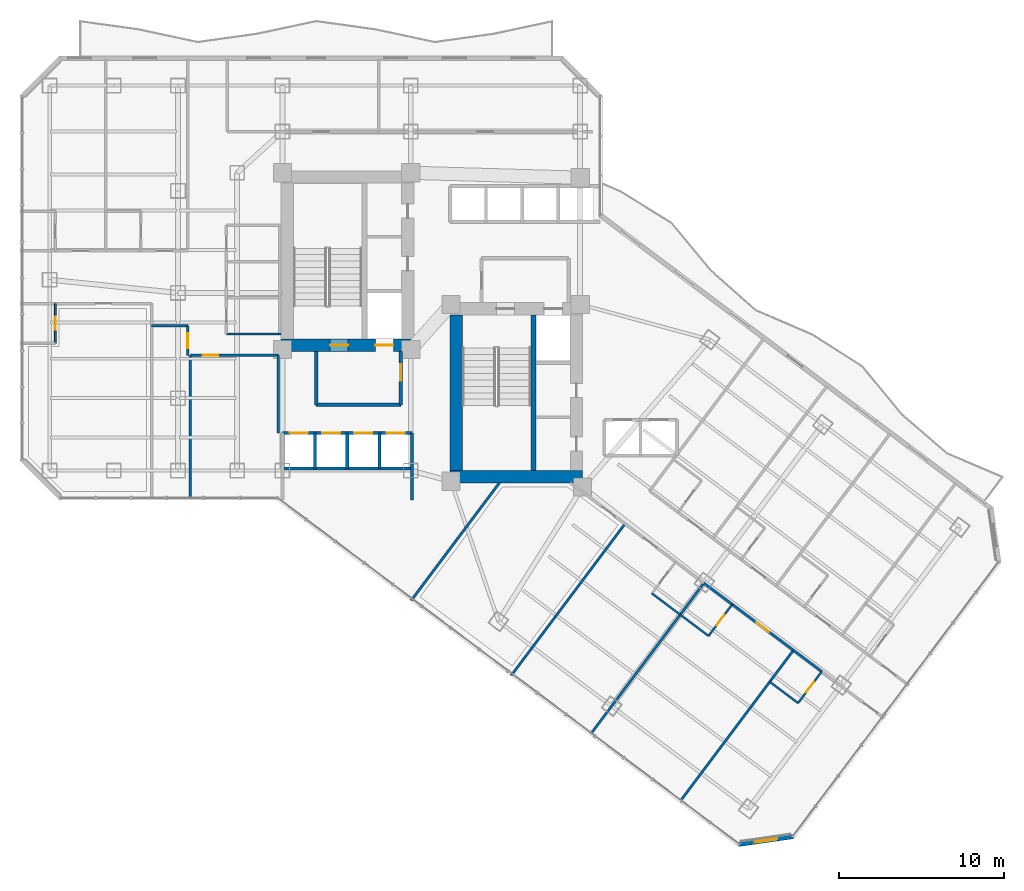
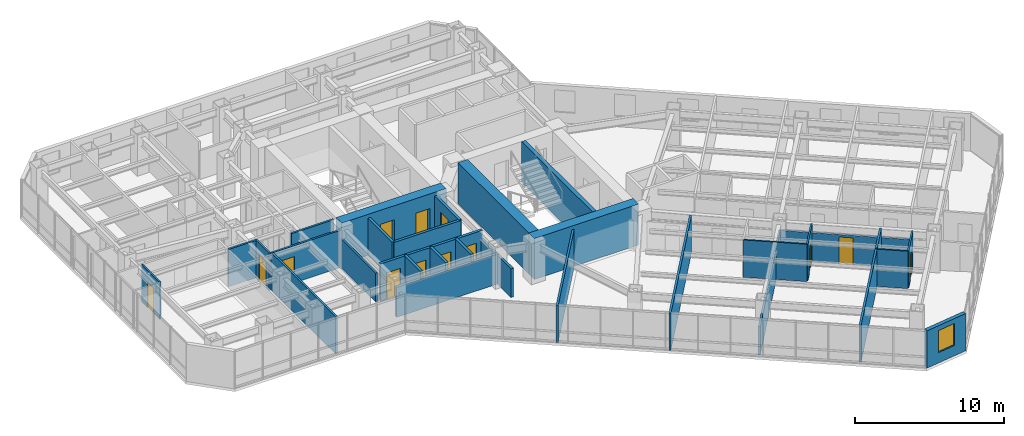
# One storey, part 28 of 36: 33 walls, 13 doors, 1 window, 14 openings.
"""IFC4 building model written with IfcOpenShell, lengths in metres."""

from ifc_helpers import new_model, si_unit, direction, frame, frame_2d, origin, place, context, subcontext, project, spatial, rectangle, extrude, material, layer, layer_set, type_object, element, fill, save


model = new_model("IFC4")

# Units and contexts
model_context = context("Model", 3, precision=1e-05, world=origin(), true_north=direction((0.0, 1.0)))
body_context = subcontext(model_context, "Body", "Model", "MODEL_VIEW")
ifc_project = project(units=[si_unit("LENGTHUNIT", "METRE"), si_unit("AREAUNIT", "SQUARE_METRE"), si_unit("VOLUMEUNIT", "CUBIC_METRE"), si_unit("PLANEANGLEUNIT", "RADIAN"), si_unit("MASSUNIT", "GRAM", prefix="KILO")], contexts=[model_context])

# Site, building, storey
site_placement = place(None, origin())
site = spatial("IfcSite", under=ifc_project, at=site_placement, CompositionType="ELEMENT")
building_placement = place(site_placement, origin())
building = spatial("IfcBuilding", under=site, at=building_placement, Name="Hatsunagi Terrace Concourse", CompositionType="ELEMENT")
storey_placement = place(building_placement, frame((0.0, 0.0, 88.0)))
storey = spatial("IfcBuildingStorey", under=building, at=storey_placement, Name="L23", CompositionType="ELEMENT", Elevation=88.0)

# Wall, openings, doors
ifc_material_1 = material(Name="Concrete Fc60", Category="concrete")
ifc_layer_1 = layer(ifc_material_1, 0.75)
ifc_layer_set_1 = layer_set([ifc_layer_1], Name="CoreShearWall_Fc60_750")
wall_type_1 = type_object("IfcWallType", Name="CoreShearWall_Fc60_750", PredefinedType="SHEAR", material=ifc_layer_set_1)
wall_1_placement = place(storey_placement, frame((25.469970703125, 32.81494140625, 0.0), z_axis=(0.0, 0.0, 1.0), x_axis=(1.0, 0.0, 0.0)))
wall_1 = element("IfcWall", 1, at=wall_1_placement, inside=storey, type_object=wall_type_1, Name="Core A Shear Wall S L23", PredefinedType="SHEAR", context=body_context, shape_type="SweptSolid", body=[
    extrude(rectangle(XDim=8.080078125, YDim=0.75, at=frame_2d((4.0400390625, 0.0))), origin(), (0.0, 0.0, 1.0), 3.35009765625),
])
opening_1_placement = place(wall_1_placement, frame((2.97998046875, 0.0, 0.0)))
opening_1 = element("IfcOpeningElement", 2, at=opening_1_placement, cuts=wall_1, Name="Opening DR-110S", PredefinedType="OPENING", context=body_context, shape_type="SweptSolid", body=[
    extrude(rectangle(XDim=1.10009765625, YDim=2.199951171875, at=frame_2d((0.550048828125, 1.10009765625))), frame((0.0, 0.385009765625, 0.0), z_axis=(0.0, -1.0, 0.0), x_axis=(1.0, 0.0, 0.0)), (0.0, 0.0, 1.0), 0.77001953125),
])
opening_2_placement = place(wall_1_placement, frame((5.72998046875, 0.0, 0.0)))
opening_2 = element("IfcOpeningElement", 3, at=opening_2_placement, cuts=wall_1, Name="Opening LD-01", PredefinedType="OPENING", context=body_context, shape_type="SweptSolid", body=[
    extrude(rectangle(XDim=1.10009765625, YDim=2.14990234375, at=frame_2d((0.550048828125, 1.074951171875))), frame((0.0, 0.385009765625, 0.0), z_axis=(0.0, -1.0, 0.0), x_axis=(1.0, 0.0, 0.0)), (0.0, 0.0, 1.0), 0.77001953125),
])
ifc_material_2 = material(Name="Stainless steel", Category="steel")
door_type_1 = type_object("IfcDoorType", Name="LiftLandingDoor_LD01", OperationType="SLIDING_TO_LEFT", PredefinedType="USERDEFINED", material=ifc_material_2)
door_1_placement = place(opening_2_placement, origin())
door_1 = element("IfcDoor", 4, at=door_1_placement, inside=storey, type_object=door_type_1, Name="Lift landing door FF-01 L23", ObjectType="SLIDING_LANDING_DOOR", OperationType="SLIDING_TO_LEFT", OverallHeight=2.14990234375, OverallWidth=1.10009765625, PredefinedType="USERDEFINED", context=body_context, shape_type="SweptSolid", body=[
    extrude(rectangle(XDim=1.10009765625, YDim=2.14990234375, at=frame_2d((0.550048828125, 1.074951171875))), frame((0.0, 0.02490234375, 0.0), z_axis=(0.0, -1.0, 0.0), x_axis=(1.0, 0.0, 0.0)), (0.0, 0.0, 1.0), 0.050048828125),
])
fill(opening_2, door_1)
ifc_material_3 = material(Name="Painted steel", Category="steel")
door_type_2 = type_object("IfcDoorType", Name="StairFireDoor_EI60_1100", OperationType="NOTDEFINED", PredefinedType="DOOR", material=ifc_material_3)
door_2_placement = place(opening_1_placement, origin())
door_2 = element("IfcDoor", 5, at=door_2_placement, inside=storey, type_object=door_type_2, Name="Stair ST-A Exit Door L23", OperationType="SINGLE_SWING_LEFT", OverallHeight=2.199951171875, OverallWidth=1.10009765625, PredefinedType="DOOR", context=body_context, shape_type="SweptSolid", body=[
    extrude(rectangle(XDim=1.10009765625, YDim=2.199951171875, at=frame_2d((0.550048828125, 1.10009765625))), frame((0.0, 0.02490234375, 0.0), z_axis=(0.0, -1.0, 0.0), x_axis=(1.0, 0.0, 0.0)), (0.0, 0.0, 1.0), 0.050048828125),
])
fill(opening_1, door_2)

# Walls
wall_2_placement = place(storey_placement, frame((35.739990234375, 24.81494140625, 0.0), z_axis=(0.0, 0.0, 1.0), x_axis=(1.0, 0.0, 0.0)))
element("IfcWall", 6, at=wall_2_placement, inside=storey, type_object=wall_type_1, Name="Core B Shear Wall S L23", PredefinedType="SHEAR", context=body_context, shape_type="SweptSolid", body=[
    extrude(rectangle(XDim=8.06005859375, YDim=0.75, at=frame_2d((4.030029296875, 0.0))), origin(), (0.0, 0.0, 1.0), 3.35009765625),
])
wall_3_placement = place(storey_placement, frame((36.114990234375, 25.18994140625, 0.0), z_axis=(0.0, 0.0, 1.0), x_axis=(0.0, 1.0, 0.0)))
element("IfcWall", 7, at=wall_3_placement, inside=storey, type_object=wall_type_1, Name="Core B Shear Wall W L23", PredefinedType="SHEAR", context=body_context, shape_type="SweptSolid", body=[
    extrude(rectangle(XDim=9.47998046875, YDim=0.75, at=frame_2d((4.739990234375, 0.0))), origin(), (0.0, 0.0, 1.0), 3.35009765625),
])
ifc_material_4 = material(Name="Concrete Fc48", Category="concrete")
ifc_layer_2 = layer(ifc_material_4, 0.300048828125)
ifc_layer_set_2 = layer_set([ifc_layer_2], Name="CoreStairDivider_Fc48_300")
wall_type_2 = type_object("IfcWallType", Name="CoreStairDivider_Fc48_300", PredefinedType="SHEAR", material=ifc_layer_set_2)
wall_4_placement = place(storey_placement, frame((40.81005859375, 25.18994140625, 0.0), z_axis=(0.0, 0.0, 1.0), x_axis=(0.0, 1.0, 0.0)))
element("IfcWall", 8, at=wall_4_placement, inside=storey, type_object=wall_type_2, Name="Core B Shear Wall D L23", PredefinedType="SHEAR", context=body_context, shape_type="SweptSolid", body=[
    extrude(rectangle(XDim=9.47998046875, YDim=0.300048828125, at=frame_2d((4.739990234375, 0.0))), origin(), (0.0, 0.0, 1.0), 3.35009765625),
])

# Wall, opening, door
ifc_material_5 = material(Name="Acoustic mineral board", Category="gypsum")
ifc_layer_3 = layer(ifc_material_5, 0.1201171875)
ifc_layer_set_3 = layer_set([ifc_layer_3], Name="PartitionWall_EI30_120")
wall_type_3 = type_object("IfcWallType", Name="PartitionWall_EI30_120", PredefinedType="PARTITIONING", material=ifc_layer_set_3)
wall_5_placement = place(storey_placement, frame((11.75, 32.949951171875, 0.0), z_axis=(0.0, 0.0, 1.0), x_axis=(0.0, 1.0, 0.0)))
wall_5 = element("IfcWall", 9, at=wall_5_placement, inside=storey, type_object=wall_type_3, Name="Interior Partition IW-L23-059", PredefinedType="PARTITIONING", context=body_context, shape_type="SweptSolid", body=[
    extrude(rectangle(XDim=2.400146484375, YDim=0.1201171875, at=frame_2d((1.2001953125, 0.0))), origin(), (0.0, 0.0, 1.0), 3.050048828125),
])
opening_3_placement = place(wall_5_placement, frame((0.800048828125, 0.0, 0.0)))
opening_3 = element("IfcOpeningElement", 10, at=opening_3_placement, cuts=wall_5, Name="Opening DR-080", PredefinedType="OPENING", context=body_context, shape_type="SweptSolid", body=[
    extrude(rectangle(XDim=0.800048828125, YDim=2.06005859375, at=frame_2d((0.39990234375, 1.030029296875))), frame((0.0, 0.070068359375, 0.0), z_axis=(0.0, -1.0, 0.0), x_axis=(1.0, 0.0, 0.0)), (0.0, 0.0, 1.0), 0.14013671875),
])
ifc_material_6 = material(Name="Hardwood timber", Category="wood")
door_type_3 = type_object("IfcDoorType", Name="BathroomDoor_800", OperationType="NOTDEFINED", PredefinedType="DOOR", material=ifc_material_6)
door_3_placement = place(opening_3_placement, origin())
door_3 = element("IfcDoor", 11, at=door_3_placement, inside=storey, type_object=door_type_3, Name="En-Suite Bathroom L23-S1 Door", OperationType="SINGLE_SWING_RIGHT", OverallHeight=2.06005859375, OverallWidth=0.800048828125, PredefinedType="DOOR", context=body_context, shape_type="SweptSolid", body=[
    extrude(rectangle(XDim=0.800048828125, YDim=2.06005859375, at=frame_2d((0.39990234375, 1.030029296875))), frame((0.0, 0.02490234375, 0.0), z_axis=(0.0, -1.0, 0.0), x_axis=(1.0, 0.0, 0.0)), (0.0, 0.0, 1.0), 0.050048828125),
])
fill(opening_3, door_3)

# Wall
wall_6_placement = place(storey_placement, frame((48.010009765625, 17.72998046875, 0.0), z_axis=(0.0, 0.0, 1.0), x_axis=(0.79998637334, -0.60001816845, 0.0)))
element("IfcWall", 12, at=wall_6_placement, inside=storey, type_object=wall_type_3, Name="Interior Partition IW-L23-087", PredefinedType="PARTITIONING", context=body_context, shape_type="SweptSolid", body=[
    extrude(rectangle(XDim=2.14990234375, YDim=0.1201171875, at=frame_2d((1.074951171875, 0.0))), origin(), (0.0, 0.0, 1.0), 3.050048828125),
])

# Wall, opening, door
wall_7_placement = place(storey_placement, frame((51.449951171875, 15.14990234375, 0.0), z_axis=(0.0, 0.0, 1.0), x_axis=(0.599951172744, 0.800036618114, 0.0)))
wall_7 = element("IfcWall", 13, at=wall_7_placement, inside=storey, type_object=wall_type_3, Name="Interior Partition IW-L23-091", PredefinedType="PARTITIONING", context=body_context, shape_type="SweptSolid", body=[
    extrude(rectangle(XDim=2.400146484375, YDim=0.1201171875, at=frame_2d((1.2001953125, 0.0))), origin(), (0.0, 0.0, 1.0), 3.050048828125),
])
opening_4_placement = place(wall_7_placement, frame((0.800048828125, 0.0, 0.0)))
opening_4 = element("IfcOpeningElement", 14, at=opening_4_placement, cuts=wall_7, Name="Opening DR-080", PredefinedType="OPENING", context=body_context, shape_type="SweptSolid", body=[
    extrude(rectangle(XDim=0.800048828125, YDim=2.06005859375, at=frame_2d((0.39990234375, 1.030029296875))), frame((0.0, 0.070068359375, 0.0), z_axis=(0.0, -1.0, 0.0), x_axis=(1.0, 0.0, 0.0)), (0.0, 0.0, 1.0), 0.14013671875),
])
door_4_placement = place(opening_4_placement, origin())
door_4 = element("IfcDoor", 15, at=door_4_placement, inside=storey, type_object=door_type_3, Name="En-Suite Bathroom L23-SESW2 Door", OperationType="SINGLE_SWING_RIGHT", OverallHeight=2.06005859375, OverallWidth=0.800048828125, PredefinedType="DOOR", context=body_context, shape_type="SweptSolid", body=[
    extrude(rectangle(XDim=0.800048828125, YDim=2.06005859375, at=frame_2d((0.39990234375, 1.030029296875))), frame((0.0, 0.02490234375, 0.0), z_axis=(0.0, -1.0, 0.0), x_axis=(1.0, 0.0, 0.0)), (0.0, 0.0, 1.0), 0.050048828125),
])
fill(opening_4, door_4)

# Wall
wall_8_placement = place(storey_placement, frame((49.72998046875, 16.43994140625, 0.0), z_axis=(0.0, 0.0, 1.0), x_axis=(0.79998637334, -0.60001816845, 0.0)))
element("IfcWall", 16, at=wall_8_placement, inside=storey, type_object=wall_type_3, Name="Interior Partition IW-L23-092", PredefinedType="PARTITIONING", context=body_context, shape_type="SweptSolid", body=[
    extrude(rectangle(XDim=2.14990234375, YDim=0.1201171875, at=frame_2d((1.074951171875, 0.0))), origin(), (0.0, 0.0, 1.0), 3.050048828125),
])

# Wall, opening, door
wall_9_placement = place(storey_placement, frame((56.889892578125, 11.070068359375, 0.0), z_axis=(0.0, 0.0, 1.0), x_axis=(0.600065100855, 0.79995117022, 0.0)))
wall_9 = element("IfcWall", 17, at=wall_9_placement, inside=storey, type_object=wall_type_3, Name="Interior Partition IW-L23-096", PredefinedType="PARTITIONING", context=body_context, shape_type="SweptSolid", body=[
    extrude(rectangle(XDim=2.400146484375, YDim=0.1201171875, at=frame_2d((1.2001953125, 0.0))), origin(), (0.0, 0.0, 1.0), 3.050048828125),
])
opening_5_placement = place(wall_9_placement, frame((0.800048828125, 0.0, 0.0)))
opening_5 = element("IfcOpeningElement", 18, at=opening_5_placement, cuts=wall_9, Name="Opening DR-080", PredefinedType="OPENING", context=body_context, shape_type="SweptSolid", body=[
    extrude(rectangle(XDim=0.800048828125, YDim=2.06005859375, at=frame_2d((0.39990234375, 1.030029296875))), frame((0.0, 0.070068359375, 0.0), z_axis=(0.0, -1.0, 0.0), x_axis=(1.0, 0.0, 0.0)), (0.0, 0.0, 1.0), 0.14013671875),
])
door_5_placement = place(opening_5_placement, origin())
door_5 = element("IfcDoor", 19, at=door_5_placement, inside=storey, type_object=door_type_3, Name="En-Suite Bathroom L23-SESW3 Door", OperationType="SINGLE_SWING_LEFT", OverallHeight=2.06005859375, OverallWidth=0.800048828125, PredefinedType="DOOR", context=body_context, shape_type="SweptSolid", body=[
    extrude(rectangle(XDim=0.800048828125, YDim=2.06005859375, at=frame_2d((0.39990234375, 1.030029296875))), frame((0.0, 0.02490234375, 0.0), z_axis=(0.0, -1.0, 0.0), x_axis=(1.0, 0.0, 0.0)), (0.0, 0.0, 1.0), 0.050048828125),
])
fill(opening_5, door_5)

# Walls
wall_10_placement = place(storey_placement, frame((55.169921875, 12.360107421875, 0.0), z_axis=(0.0, 0.0, 1.0), x_axis=(0.79998637334, -0.60001816845, 0.0)))
element("IfcWall", 20, at=wall_10_placement, inside=storey, type_object=wall_type_3, Name="Interior Partition IW-L23-097", PredefinedType="PARTITIONING", context=body_context, shape_type="SweptSolid", body=[
    extrude(rectangle(XDim=2.14990234375, YDim=0.1201171875, at=frame_2d((1.074951171875, 0.0))), origin(), (0.0, 0.0, 1.0), 3.050048828125),
])
ifc_material_7 = material(Name="Acoustic mineral board", Category="gypsum")
ifc_layer_4 = layer(ifc_material_7, 0.14990234375)
ifc_layer_set_4 = layer_set([ifc_layer_4], Name="PartitionWall_EI60_150")
wall_type_4 = type_object("IfcWallType", Name="PartitionWall_EI60_150", PredefinedType="PARTITIONING", material=ifc_layer_set_4)
wall_11_placement = place(storey_placement, frame((22.14990234375, 33.5, 0.0), z_axis=(0.0, 0.0, 1.0), x_axis=(1.0, 0.0, 0.0)))
element("IfcWall", 21, at=wall_11_placement, inside=storey, type_object=wall_type_4, Name="Interior Partition IW-L23-029", PredefinedType="PARTITIONING", context=body_context, shape_type="SweptSolid", body=[
    extrude(rectangle(XDim=3.300048828125, YDim=0.14990234375, at=frame_2d((1.64990234375, 0.0))), origin(), (0.0, 0.0, 1.0), 3.050048828125),
])
wall_12_placement = place(storey_placement, frame((33.384033203125, 17.31201171875, 0.0), z_axis=(0.0, 0.0, 1.0), x_axis=(0.600008743659, 0.799993442181, 0.0)))
element("IfcWall", 22, at=wall_12_placement, inside=storey, type_object=wall_type_4, Name="Interior Partition IW-L23-042", PredefinedType="PARTITIONING", context=body_context, shape_type="SweptSolid", body=[
    extrude(rectangle(XDim=8.93505859375, YDim=0.14990234375, at=frame_2d((4.467529296875, 0.0))), origin(), (0.0, 0.0, 1.0), 3.050048828125),
])
wall_13_placement = place(storey_placement, frame((39.464111328125, 12.751953125, 0.0), z_axis=(0.0, 0.0, 1.0), x_axis=(0.6, 0.8, 0.0)))
element("IfcWall", 23, at=wall_13_placement, inside=storey, type_object=wall_type_4, Name="Interior Partition IW-L23-043", PredefinedType="PARTITIONING", context=body_context, shape_type="SweptSolid", body=[
    extrude(rectangle(XDim=11.510009765625, YDim=0.14990234375, at=frame_2d((5.7548828125, 0.0))), origin(), (0.0, 0.0, 1.0), 3.050048828125),
])

# Wall, opening, door
wall_14_placement = place(storey_placement, frame((19.949951171875, 32.199951171875, 0.0), z_axis=(0.0, 0.0, 1.0), x_axis=(1.0, 0.0, 0.0)))
wall_14 = element("IfcWall", 24, at=wall_14_placement, inside=storey, type_object=wall_type_4, Name="Interior Partition IW-L23-044", PredefinedType="PARTITIONING", context=body_context, shape_type="SweptSolid", body=[
    extrude(rectangle(XDim=5.35009765625, YDim=0.14990234375, at=frame_2d((2.675048828125, 0.0))), origin(), (0.0, 0.0, 1.0), 3.050048828125),
])
opening_6_placement = place(wall_14_placement, frame((0.743896484375, 0.0, 0.0)))
opening_6 = element("IfcOpeningElement", 25, at=opening_6_placement, cuts=wall_14, Name="Opening DR-095", PredefinedType="OPENING", context=body_context, shape_type="SweptSolid", body=[
    extrude(rectangle(XDim=0.949951171875, YDim=2.14990234375, at=frame_2d((0.47509765625, 1.074951171875))), frame((0.0, 0.0849609375, 0.0), z_axis=(0.0, -1.0, 0.0), x_axis=(1.0, 0.0, 0.0)), (0.0, 0.0, 1.0), 0.169921875),
])
ifc_material_8 = material(Name="Hardwood timber", Category="wood")
door_type_4 = type_object("IfcDoorType", Name="InteriorSuiteDoor_EI30_950", OperationType="NOTDEFINED", PredefinedType="DOOR", material=ifc_material_8)
door_6_placement = place(opening_6_placement, origin())
door_6 = element("IfcDoor", 26, at=door_6_placement, inside=storey, type_object=door_type_4, Name="Hotel Wellness Spa L23-HSPA Door", OperationType="SINGLE_SWING_LEFT", OverallHeight=2.14990234375, OverallWidth=0.949951171875, PredefinedType="DOOR", context=body_context, shape_type="SweptSolid", body=[
    extrude(rectangle(XDim=0.949951171875, YDim=2.14990234375, at=frame_2d((0.47509765625, 1.074951171875))), frame((0.0, 0.02490234375, 0.0), z_axis=(0.0, -1.0, 0.0), x_axis=(1.0, 0.0, 0.0)), (0.0, 0.0, 1.0), 0.050048828125),
])
fill(opening_6, door_6)

# Walls
wall_15_placement = place(storey_placement, frame((19.949951171875, 23.60009765625, 0.0), z_axis=(0.0, 0.0, 1.0), x_axis=(0.0, 1.0, 0.0)))
element("IfcWall", 27, at=wall_15_placement, inside=storey, type_object=wall_type_4, Name="Interior Partition IW-L23-045", PredefinedType="PARTITIONING", context=body_context, shape_type="SweptSolid", body=[
    extrude(rectangle(XDim=8.599853515625, YDim=0.14990234375, at=frame_2d((4.2998046875, 0.0))), origin(), (0.0, 0.0, 1.0), 3.050048828125),
])
wall_16_placement = place(storey_placement, frame((25.300048828125, 27.47998046875, 0.0), z_axis=(0.0, 0.0, 1.0), x_axis=(0.0, 1.0, 0.0)))
element("IfcWall", 28, at=wall_16_placement, inside=storey, type_object=wall_type_4, Name="Interior Partition IW-L23-046", PredefinedType="PARTITIONING", context=body_context, shape_type="SweptSolid", body=[
    extrude(rectangle(XDim=4.719970703125, YDim=0.14990234375, at=frame_2d((2.35986328125, 0.0))), origin(), (0.0, 0.0, 1.0), 2.344970703125),
])
wall_17_placement = place(storey_placement, frame((17.60009765625, 34.0, 0.0), z_axis=(0.0, 0.0, 1.0), x_axis=(1.0, 0.0, 0.0)))
element("IfcWall", 29, at=wall_17_placement, inside=storey, type_object=wall_type_4, Name="Interior Partition IW-L23-062", PredefinedType="PARTITIONING", context=body_context, shape_type="SweptSolid", body=[
    extrude(rectangle(XDim=2.199951171875, YDim=0.14990234375, at=frame_2d((1.10009765625, 0.0))), origin(), (0.0, 0.0, 1.0), 3.050048828125),
])

# Wall, opening, door
wall_18_placement = place(storey_placement, frame((19.800048828125, 32.199951171875, 0.0), z_axis=(0.0, 0.0, 1.0), x_axis=(0.0, 1.0, 0.0)))
wall_18 = element("IfcWall", 30, at=wall_18_placement, inside=storey, type_object=wall_type_4, Name="Interior Partition IW-L23-063", PredefinedType="PARTITIONING", context=body_context, shape_type="SweptSolid", body=[
    extrude(rectangle(XDim=1.800048828125, YDim=0.14990234375, at=frame_2d((0.89990234375, 0.0))), origin(), (0.0, 0.0, 1.0), 3.050048828125),
])
opening_7_placement = place(wall_18_placement, frame((0.449951171875, 0.0, 0.0)))
opening_7 = element("IfcOpeningElement", 31, at=opening_7_placement, cuts=wall_18, Name="Opening DR-090", PredefinedType="OPENING", context=body_context, shape_type="SweptSolid", body=[
    extrude(rectangle(XDim=0.89990234375, YDim=2.14990234375, at=frame_2d((0.449951171875, 1.074951171875))), frame((0.0, 0.0849609375, 0.0), z_axis=(0.0, -1.0, 0.0), x_axis=(1.0, 0.0, 0.0)), (0.0, 0.0, 1.0), 0.169921875),
])
ifc_material_9 = material(Name="Hardwood timber", Category="wood")
door_type_5 = type_object("IfcDoorType", Name="CrownPavilionDoor_EI30_900", OperationType="NOTDEFINED", PredefinedType="DOOR", material=ifc_material_9)
door_7_placement = place(opening_7_placement, origin())
door_7 = element("IfcDoor", 32, at=door_7_placement, inside=storey, type_object=door_type_5, Name="Catering Pantry L23-HPAN Door", OperationType="SINGLE_SWING_RIGHT", OverallHeight=2.14990234375, OverallWidth=0.89990234375, PredefinedType="DOOR", context=body_context, shape_type="SweptSolid", body=[
    extrude(rectangle(XDim=0.89990234375, YDim=2.14990234375, at=frame_2d((0.449951171875, 1.074951171875))), frame((0.0, 0.02490234375, 0.0), z_axis=(0.0, -1.0, 0.0), x_axis=(1.0, 0.0, 0.0)), (0.0, 0.0, 1.0), 0.050048828125),
])
fill(opening_7, door_7)

# Walls
wall_19_placement = place(storey_placement, frame((44.360107421875, 9.280029296875, 0.0), z_axis=(0.0, 0.0, 1.0), x_axis=(0.599986233332, 0.800010324816, 0.0)))
element("IfcWall", 33, at=wall_19_placement, inside=storey, type_object=wall_type_4, Name="Interior Partition IW-L23-088", PredefinedType="PARTITIONING", context=body_context, shape_type="SweptSolid", body=[
    extrude(rectangle(XDim=11.349853515625, YDim=0.14990234375, at=frame_2d((5.6748046875, 0.0))), origin(), (0.0, 0.0, 1.0), 2.344970703125),
])
wall_20_placement = place(storey_placement, frame((51.169921875, 18.360107421875, 0.0), z_axis=(0.0, 0.0, 1.0), x_axis=(0.79998637334, -0.60001816845, 0.0)))
element("IfcWall", 34, at=wall_20_placement, inside=storey, type_object=wall_type_4, Name="Interior Partition IW-L23-089", PredefinedType="PARTITIONING", context=body_context, shape_type="SweptSolid", body=[
    extrude(rectangle(XDim=2.14990234375, YDim=0.14990234375, at=frame_2d((1.074951171875, 0.0))), origin(), (0.0, 0.0, 1.0), 2.344970703125),
])

# Wall, opening, door
wall_21_placement = place(storey_placement, frame((52.889892578125, 17.070068359375, 0.0), z_axis=(0.0, 0.0, 1.0), x_axis=(0.800012600101, -0.599983199498, 0.0)))
wall_21 = element("IfcWall", 35, at=wall_21_placement, inside=storey, type_object=wall_type_4, Name="Interior Partition IW-L23-090", PredefinedType="PARTITIONING", context=body_context, shape_type="SweptSolid", body=[
    extrude(rectangle(XDim=4.650146484375, YDim=0.14990234375, at=frame_2d((2.3251953125, 0.0))), origin(), (0.0, 0.0, 1.0), 2.344970703125),
])
opening_8_placement = place(wall_21_placement, frame((1.85009765625, 0.0, 0.0)))
opening_8 = element("IfcOpeningElement", 36, at=opening_8_placement, cuts=wall_21, Name="Opening DR-095", PredefinedType="OPENING", context=body_context, shape_type="SweptSolid", body=[
    extrude(rectangle(XDim=0.949951171875, YDim=2.14990234375, at=frame_2d((0.47509765625, 1.074951171875))), frame((0.0, 0.0849609375, 0.0), z_axis=(0.0, -1.0, 0.0), x_axis=(1.0, 0.0, 0.0)), (0.0, 0.0, 1.0), 0.169921875),
])
door_8_placement = place(opening_8_placement, origin())
door_8 = element("IfcDoor", 37, at=door_8_placement, inside=storey, type_object=door_type_4, Name="Corner Hotel Suite L23-SESW2 Door", OperationType="SINGLE_SWING_RIGHT", OverallHeight=2.14990234375, OverallWidth=0.949951171875, PredefinedType="DOOR", context=body_context, shape_type="SweptSolid", body=[
    extrude(rectangle(XDim=0.949951171875, YDim=2.14990234375, at=frame_2d((0.47509765625, 1.074951171875))), frame((0.0, 0.02490234375, 0.0), z_axis=(0.0, -1.0, 0.0), x_axis=(1.0, 0.0, 0.0)), (0.0, 0.0, 1.0), 0.050048828125),
])
fill(opening_8, door_8)

# Walls
wall_22_placement = place(storey_placement, frame((49.800048828125, 5.199951171875, 0.0), z_axis=(0.0, 0.0, 1.0), x_axis=(0.6, 0.8, 0.0)))
element("IfcWall", 38, at=wall_22_placement, inside=storey, type_object=wall_type_4, Name="Interior Partition IW-L23-093", PredefinedType="PARTITIONING", context=body_context, shape_type="SweptSolid", body=[
    extrude(rectangle(XDim=11.35009765625, YDim=0.14990234375, at=frame_2d((5.675048828125, 0.0))), origin(), (0.0, 0.0, 1.0), 3.050048828125),
])
wall_23_placement = place(storey_placement, frame((56.610107421875, 14.280029296875, 0.0), z_axis=(0.0, 0.0, 1.0), x_axis=(0.79998637334, -0.60001816845, 0.0)))
element("IfcWall", 39, at=wall_23_placement, inside=storey, type_object=wall_type_4, Name="Interior Partition IW-L23-094", PredefinedType="PARTITIONING", context=body_context, shape_type="SweptSolid", body=[
    extrude(rectangle(XDim=2.14990234375, YDim=0.14990234375, at=frame_2d((1.074951171875, 0.0))), origin(), (0.0, 0.0, 1.0), 2.344970703125),
])
ifc_material_10 = material(Name="Acoustic mineral board", Category="gypsum")
ifc_layer_5 = layer(ifc_material_10, 0.199951171875)
ifc_layer_set_5 = layer_set([ifc_layer_5], Name="ShaftWall_EI120_200")
wall_type_5 = type_object("IfcWallType", Name="ShaftWall_EI120_200", PredefinedType="STANDARD", material=ifc_layer_set_5)
wall_24_placement = place(storey_placement, frame((27.60009765625, 29.199951171875, 0.0), z_axis=(0.0, 0.0, 1.0), x_axis=(1.0, 0.0, 0.0)))
element("IfcWall", 40, at=wall_24_placement, inside=storey, type_object=wall_type_5, Name="Interior Partition IW-L23-005", PredefinedType="STANDARD", context=body_context, shape_type="SweptSolid", body=[
    extrude(rectangle(XDim=5.14990234375, YDim=0.199951171875, at=frame_2d((2.574951171875, 0.0))), origin(), (0.0, 0.0, 1.0), 3.050048828125),
])
wall_25_placement = place(storey_placement, frame((27.60009765625, 29.199951171875, 0.0), z_axis=(0.0, 0.0, 1.0), x_axis=(0.0, 1.0, 0.0)))
element("IfcWall", 41, at=wall_25_placement, inside=storey, type_object=wall_type_5, Name="Interior Partition IW-L23-006", PredefinedType="STANDARD", context=body_context, shape_type="SweptSolid", body=[
    extrude(rectangle(XDim=3.239990234375, YDim=0.199951171875, at=frame_2d((1.6201171875, 0.0))), origin(), (0.0, 0.0, 1.0), 3.050048828125),
])

# Wall, opening, door
wall_26_placement = place(storey_placement, frame((32.75, 29.199951171875, 0.0), z_axis=(0.0, 0.0, 1.0), x_axis=(0.0, 1.0, 0.0)))
wall_26 = element("IfcWall", 42, at=wall_26_placement, inside=storey, type_object=wall_type_5, Name="Interior Partition IW-L23-007", PredefinedType="STANDARD", context=body_context, shape_type="SweptSolid", body=[
    extrude(rectangle(XDim=3.239990234375, YDim=0.199951171875, at=frame_2d((1.6201171875, 0.0))), origin(), (0.0, 0.0, 1.0), 3.050048828125),
])
opening_9_placement = place(wall_26_placement, frame((1.449951171875, 0.0, 0.0)))
opening_9 = element("IfcOpeningElement", 43, at=opening_9_placement, cuts=wall_26, Name="Opening DR-100F", PredefinedType="OPENING", context=body_context, shape_type="SweptSolid", body=[
    extrude(rectangle(XDim=1.0, YDim=2.199951171875, at=frame_2d((0.5, 1.10009765625))), frame((0.0, 0.10986328125, 0.0), z_axis=(0.0, -1.0, 0.0), x_axis=(1.0, 0.0, 0.0)), (0.0, 0.0, 1.0), 0.219970703125),
])
ifc_material_11 = material(Name="Painted steel", Category="steel")
door_type_6 = type_object("IfcDoorType", Name="FireDoor_EI60_1000", OperationType="NOTDEFINED", PredefinedType="DOOR", material=ifc_material_11)
door_9_placement = place(opening_9_placement, origin())
door_9 = element("IfcDoor", 44, at=door_9_placement, inside=storey, type_object=door_type_6, Name="Firefighting Lobby A Door L23", OperationType="SINGLE_SWING_RIGHT", OverallHeight=2.199951171875, OverallWidth=1.0, PredefinedType="DOOR", context=body_context, shape_type="SweptSolid", body=[
    extrude(rectangle(XDim=1.0, YDim=2.199951171875, at=frame_2d((0.5, 1.10009765625))), frame((0.0, 0.02490234375, 0.0), z_axis=(0.0, -1.0, 0.0), x_axis=(1.0, 0.0, 0.0)), (0.0, 0.0, 1.0), 0.050048828125),
])
fill(opening_9, door_9)

# Walls
wall_27_placement = place(storey_placement, frame((33.429931640625, 23.39990234375, 0.0), z_axis=(0.0, 0.0, 1.0), x_axis=(0.0, 1.0, 0.0)))
element("IfcWall", 45, at=wall_27_placement, inside=storey, type_object=wall_type_5, Name="Interior Partition IW-L23-012", PredefinedType="STANDARD", context=body_context, shape_type="SweptSolid", body=[
    extrude(rectangle(XDim=4.080078125, YDim=0.199951171875, at=frame_2d((2.0400390625, 0.0))), origin(), (0.0, 0.0, 1.0), 2.344970703125),
])
wall_28_placement = place(storey_placement, frame((25.550048828125, 25.320068359375, 0.0), z_axis=(0.0, 0.0, 1.0), x_axis=(1.0, 0.0, 0.0)))
element("IfcWall", 46, at=wall_28_placement, inside=storey, type_object=wall_type_5, Name="Interior Partition IW-L23-013", PredefinedType="STANDARD", context=body_context, shape_type="SweptSolid", body=[
    extrude(rectangle(XDim=7.8798828125, YDim=0.199951171875, at=frame_2d((3.93994140625, 0.0))), origin(), (0.0, 0.0, 1.0), 2.445068359375),
])
for number, where, z_axis, x_axis, name in (
    (47, (27.530029296875, 25.320068359375, 0.0), (0.0, 0.0, 1.0), (0.0, 1.0, 0.0), "Interior Partition IW-L23-014"),
    (48, (29.489990234375, 25.320068359375, 0.0), (0.0, 0.0, 1.0), (0.0, 1.0, 0.0), "Interior Partition IW-L23-015"),
    (49, (31.449951171875, 25.320068359375, 0.0), (0.0, 0.0, 1.0), (0.0, 1.0, 0.0), "Interior Partition IW-L23-016"),
):
    element("IfcWall", number, at=place(storey_placement, frame(where, z_axis=z_axis, x_axis=x_axis)), inside=storey, type_object=wall_type_5, Name=name, PredefinedType="STANDARD", context=body_context, shape_type="SweptSolid", body=[
        extrude(rectangle(XDim=2.159912109375, YDim=0.199951171875, at=frame_2d((1.080078125, 0.0))), origin(), (0.0, 0.0, 1.0), 3.050048828125),
    ])

# Wall, openings, doors
wall_29_placement = place(storey_placement, frame((25.550048828125, 27.47998046875, 0.0), z_axis=(0.0, 0.0, 1.0), x_axis=(1.0, 0.0, 0.0)))
wall_29 = element("IfcWall", 50, at=wall_29_placement, inside=storey, type_object=wall_type_5, Name="Interior Partition IW-L23-017", PredefinedType="STANDARD", context=body_context, shape_type="SweptSolid", body=[
    extrude(rectangle(XDim=7.8798828125, YDim=0.199951171875, at=frame_2d((3.93994140625, 0.0))), origin(), (0.0, 0.0, 1.0), 3.050048828125),
])
opening_10_placement = place(wall_29_placement, frame((0.4599609375, 0.0, 0.0)))
opening_10 = element("IfcOpeningElement", 51, at=opening_10_placement, cuts=wall_29, Name="Opening LD-03", PredefinedType="OPENING", context=body_context, shape_type="SweptSolid", body=[
    extrude(rectangle(XDim=1.080078125, YDim=2.14990234375, at=frame_2d((0.5400390625, 1.074951171875))), frame((0.0, 0.10986328125, 0.0), z_axis=(0.0, -1.0, 0.0), x_axis=(1.0, 0.0, 0.0)), (0.0, 0.0, 1.0), 0.219970703125),
])
opening_11_placement = place(wall_29_placement, frame((2.419921875, 0.0, 0.0)))
opening_11 = element("IfcOpeningElement", 52, at=opening_11_placement, cuts=wall_29, Name="Opening LD-03", PredefinedType="OPENING", context=body_context, shape_type="SweptSolid", body=[
    extrude(rectangle(XDim=1.080078125, YDim=2.14990234375, at=frame_2d((0.5400390625, 1.074951171875))), frame((0.0, 0.10986328125, 0.0), z_axis=(0.0, -1.0, 0.0), x_axis=(1.0, 0.0, 0.0)), (0.0, 0.0, 1.0), 0.219970703125),
])
opening_12_placement = place(wall_29_placement, frame((4.3798828125, 0.0, 0.0)))
opening_12 = element("IfcOpeningElement", 53, at=opening_12_placement, cuts=wall_29, Name="Opening LD-03", PredefinedType="OPENING", context=body_context, shape_type="SweptSolid", body=[
    extrude(rectangle(XDim=1.080078125, YDim=2.14990234375, at=frame_2d((0.5400390625, 1.074951171875))), frame((0.0, 0.10986328125, 0.0), z_axis=(0.0, -1.0, 0.0), x_axis=(1.0, 0.0, 0.0)), (0.0, 0.0, 1.0), 0.219970703125),
])
opening_13_placement = place(wall_29_placement, frame((6.340087890625, 0.0, 0.0)))
opening_13 = element("IfcOpeningElement", 54, at=opening_13_placement, cuts=wall_29, Name="Opening LD-03", PredefinedType="OPENING", context=body_context, shape_type="SweptSolid", body=[
    extrude(rectangle(XDim=1.080078125, YDim=2.14990234375, at=frame_2d((0.5400390625, 1.074951171875))), frame((0.0, 0.10986328125, 0.0), z_axis=(0.0, -1.0, 0.0), x_axis=(1.0, 0.0, 0.0)), (0.0, 0.0, 1.0), 0.219970703125),
])
ifc_material_12 = material(Name="Stainless steel", Category="steel")
door_type_7 = type_object("IfcDoorType", Name="LiftLandingDoor_LD03", OperationType="SLIDING_TO_LEFT", PredefinedType="USERDEFINED", material=ifc_material_12)
door_10_placement = place(opening_10_placement, origin())
door_10 = element("IfcDoor", 55, at=door_10_placement, inside=storey, type_object=door_type_7, Name="Lift landing door PL-01 L23", ObjectType="SLIDING_LANDING_DOOR", OperationType="SLIDING_TO_LEFT", OverallHeight=2.14990234375, OverallWidth=1.080078125, PredefinedType="USERDEFINED", context=body_context, shape_type="SweptSolid", body=[
    extrude(rectangle(XDim=1.080078125, YDim=2.14990234375, at=frame_2d((0.5400390625, 1.074951171875))), frame((0.0, 0.02490234375, 0.0), z_axis=(0.0, -1.0, 0.0), x_axis=(1.0, 0.0, 0.0)), (0.0, 0.0, 1.0), 0.050048828125),
])
fill(opening_10, door_10)
door_11_placement = place(opening_11_placement, origin())
door_11 = element("IfcDoor", 56, at=door_11_placement, inside=storey, type_object=door_type_7, Name="Lift landing door PL-02 L23", ObjectType="SLIDING_LANDING_DOOR", OperationType="SLIDING_TO_LEFT", OverallHeight=2.14990234375, OverallWidth=1.080078125, PredefinedType="USERDEFINED", context=body_context, shape_type="SweptSolid", body=[
    extrude(rectangle(XDim=1.080078125, YDim=2.14990234375, at=frame_2d((0.5400390625, 1.074951171875))), frame((0.0, 0.02490234375, 0.0), z_axis=(0.0, -1.0, 0.0), x_axis=(1.0, 0.0, 0.0)), (0.0, 0.0, 1.0), 0.050048828125),
])
fill(opening_11, door_11)
door_12_placement = place(opening_12_placement, origin())
door_12 = element("IfcDoor", 57, at=door_12_placement, inside=storey, type_object=door_type_7, Name="Lift landing door PL-03 L23", ObjectType="SLIDING_LANDING_DOOR", OperationType="SLIDING_TO_LEFT", OverallHeight=2.14990234375, OverallWidth=1.080078125, PredefinedType="USERDEFINED", context=body_context, shape_type="SweptSolid", body=[
    extrude(rectangle(XDim=1.080078125, YDim=2.14990234375, at=frame_2d((0.5400390625, 1.074951171875))), frame((0.0, 0.02490234375, 0.0), z_axis=(0.0, -1.0, 0.0), x_axis=(1.0, 0.0, 0.0)), (0.0, 0.0, 1.0), 0.050048828125),
])
fill(opening_12, door_12)
door_13_placement = place(opening_13_placement, origin())
door_13 = element("IfcDoor", 58, at=door_13_placement, inside=storey, type_object=door_type_7, Name="Lift landing door PL-04 L23", ObjectType="SLIDING_LANDING_DOOR", OperationType="SLIDING_TO_LEFT", OverallHeight=2.14990234375, OverallWidth=1.080078125, PredefinedType="USERDEFINED", context=body_context, shape_type="SweptSolid", body=[
    extrude(rectangle(XDim=1.080078125, YDim=2.14990234375, at=frame_2d((0.5400390625, 1.074951171875))), frame((0.0, 0.02490234375, 0.0), z_axis=(0.0, -1.0, 0.0), x_axis=(1.0, 0.0, 0.0)), (0.0, 0.0, 1.0), 0.050048828125),
])
fill(opening_13, door_13)

# Wall, opening, window
ifc_material_13 = material(Name="Autoclaved Lightweight Concrete and Terracotta Cladding", Category="masonry")
ifc_layer_6 = layer(ifc_material_13, 0.280029296875)
ifc_layer_set_6 = layer_set([ifc_layer_6], Name="TerracottaSpandrelWall_280")
wall_type_6 = type_object("IfcWallType", Name="TerracottaSpandrelWall_280", PredefinedType="STANDARD", material=ifc_layer_set_6)
wall_30_placement = place(storey_placement, frame((56.56298828125, 2.949951171875, 0.0), z_axis=(0.0, 0.0, 1.0), x_axis=(-0.989977778067, -0.141223223777, 0.0)))
wall_30 = element("IfcWall", 59, at=wall_30_placement, inside=storey, type_object=wall_type_6, Name="Exterior Spandrel Wall EW-L23-04", PredefinedType="STANDARD", context=body_context, shape_type="SweptSolid", body=[
    extrude(rectangle(XDim=3.27783203125, YDim=0.280029296875, at=frame_2d((1.638916015625, 0.0))), origin(), (0.0, 0.0, 1.0), 3.050048828125),
])
opening_14_placement = place(wall_30_placement, frame((0.93896484375, 0.0, 0.85009765625)))
opening_14 = element("IfcOpeningElement", 60, at=opening_14_placement, cuts=wall_30, Name="Opening WIN-02", PredefinedType="OPENING", context=body_context, shape_type="SweptSolid", body=[
    extrude(rectangle(XDim=1.39990234375, YDim=1.800048828125, at=frame_2d((0.699951171875, 0.89990234375))), frame((0.0, 0.14990234375, 0.0), z_axis=(0.0, -1.0, 0.0), x_axis=(1.0, 0.0, 0.0)), (0.0, 0.0, 1.0), 0.300048828125),
])
ifc_material_14 = material(Name="Thermally Broken Aluminium and Low-E Triple Glazing", Category="aluminium")
window_type = type_object("IfcWindowType", Name="HotelOperableVentWindow_1400x1800", PartitioningType="DOUBLE_PANEL_VERTICAL", PredefinedType="WINDOW", material=ifc_material_14)
window_placement = place(opening_14_placement, origin())
window = element("IfcWindow", 61, at=window_placement, inside=storey, type_object=window_type, Name="Hotel Guestroom Window L23-04-1", OverallHeight=1.800048828125, OverallWidth=1.39990234375, PartitioningType="SINGLE_PANEL", PredefinedType="WINDOW", context=body_context, shape_type="SweptSolid", body=[
    extrude(rectangle(XDim=1.39990234375, YDim=1.800048828125, at=frame_2d((0.699951171875, 0.89990234375))), frame((0.0, 0.030029296875, 0.0), z_axis=(0.0, -1.0, 0.0), x_axis=(1.0, 0.0, 0.0)), (0.0, 0.0, 1.0), 0.06005859375),
])
fill(opening_14, window)

save(model, "model.ifc")
